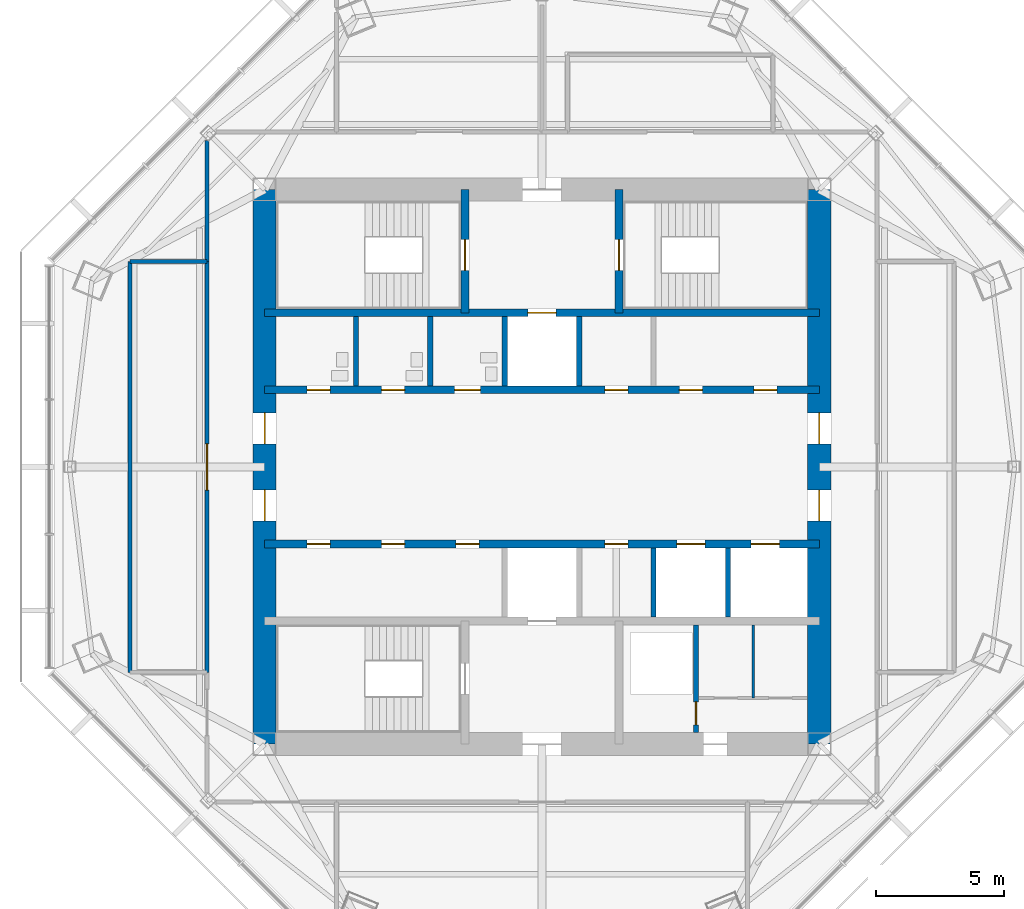
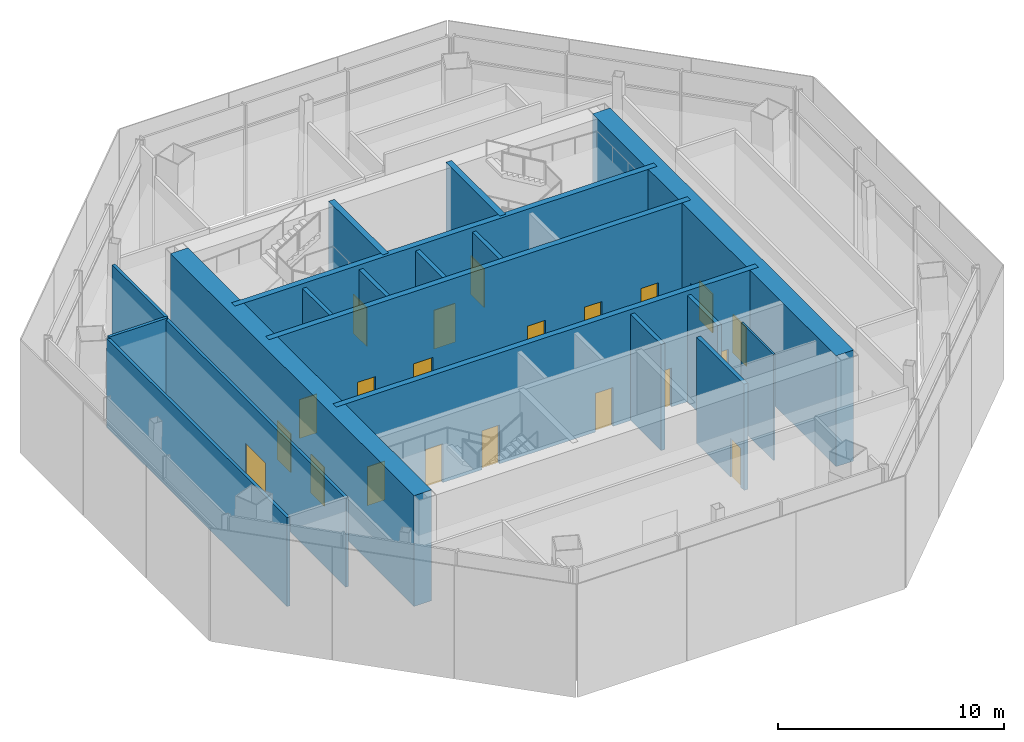
# One storey, part 5 of 11: 21 doors, 19 walls, 21 openings.
"""IFC4 building model written with IfcOpenShell, lengths in metres."""

from ifc_helpers import new_model, si_unit, direction, frame, frame_2d, origin, place, context, subcontext, project, spatial, rectangle, extrude, material, layer, layer_set, type_object, element, fill, save


model = new_model("IFC4")

# Units and contexts
model_context = context("Model", 3, precision=1e-05, world=origin(), true_north=direction((0.0, 1.0)))
body_context = subcontext(model_context, "Body", "Model", "MODEL_VIEW")
ifc_project = project(units=[si_unit("LENGTHUNIT", "METRE"), si_unit("AREAUNIT", "SQUARE_METRE"), si_unit("VOLUMEUNIT", "CUBIC_METRE"), si_unit("PLANEANGLEUNIT", "RADIAN"), si_unit("MASSUNIT", "GRAM", prefix="KILO")], contexts=[model_context])

# Site, building, storey
site_placement = place(None, origin())
site = spatial("IfcSite", under=ifc_project, at=site_placement, CompositionType="ELEMENT")
building_placement = place(site_placement, origin())
building = spatial("IfcBuilding", under=site, at=building_placement, Name="Mashrafa Tower", CompositionType="ELEMENT")
storey_placement = place(building_placement, frame((0.0, 0.0, 311.60009765625)))
storey = spatial("IfcBuildingStorey", under=building, at=storey_placement, Name="L77", CompositionType="ELEMENT", Elevation=311.60009765625)

# Wall, opening, door
ifc_material_1 = material(Name="Concrete masonry unit", Category="masonry")
ifc_layer_1 = layer(ifc_material_1, 0.199951171875)
ifc_layer_set_1 = layer_set([ifc_layer_1], Name="Blockwork wall 200 2 hr")
wall_type_1 = type_object("IfcWallType", Name="Blockwork wall 200 2 hr", PredefinedType="PARTITIONING", material=ifc_layer_set_1)
wall_1_placement = place(storey_placement, frame((6.0, -10.35009765625, 0.0), z_axis=(0.0, 0.0, 1.0), x_axis=(0.0, 1.0, 0.0)))
wall_1 = element("IfcWall", 1, at=wall_1_placement, inside=storey, type_object=wall_type_1, Name="Riser enclosure wall L77", PredefinedType="PARTITIONING", context=body_context, shape_type="SweptSolid", body=[
    extrude(rectangle(XDim=4.2001953125, YDim=0.199951171875, at=frame_2d((2.10009765625, 0.0))), origin(), (0.0, 0.0, 1.0), 5.75),
])
opening_1_placement = place(wall_1_placement, frame((0.300048828125, 0.0, 0.0)))
opening_1 = element("IfcOpeningElement", 2, at=opening_1_placement, cuts=wall_1, Name="Opening 77.020", PredefinedType="OPENING", context=body_context, shape_type="SweptSolid", body=[
    extrude(rectangle(XDim=0.89990234375, YDim=2.10009765625, at=frame_2d((0.449951171875, 1.050048828125))), frame((0.0, 0.10986328125, 0.0), z_axis=(0.0, -1.0, 0.0), x_axis=(1.0, 0.0, 0.0)), (0.0, 0.0, 1.0), 0.219970703125),
])
ifc_material_2 = material(Name="Steel door", Category="steel")
door_type_1 = type_object("IfcDoorType", Name="Service door 900 x 2100 90 min", OperationType="USERDEFINED", PredefinedType="DOOR", material=ifc_material_2)
door_1_placement = place(opening_1_placement, origin())
door_1 = element("IfcDoor", 3, at=door_1_placement, inside=storey, type_object=door_type_1, Name="Riser door L77", OperationType="SINGLE_SWING_LEFT", OverallHeight=2.10009765625, OverallWidth=0.89990234375, PredefinedType="DOOR", context=body_context, shape_type="SweptSolid", body=[
    extrude(rectangle(XDim=0.89990234375, YDim=2.10009765625, at=frame_2d((0.449951171875, 1.050048828125))), frame((0.0, 0.02490234375, 0.0), z_axis=(0.0, -1.0, 0.0), x_axis=(1.0, 0.0, 0.0)), (0.0, 0.0, 1.0), 0.050048828125),
])
fill(opening_1, door_1)

# Wall, openings, doors
ifc_material_3 = material(Name="Concrete C50/60", Category="concrete")
ifc_layer_2 = layer(ifc_material_3, 0.300048828125)
ifc_layer_set_2 = layer_set([ifc_layer_2], Name="Core wall 300 C50/60")
wall_type_2 = type_object("IfcWallType", Name="Core wall 300 C50/60", PredefinedType="SOLIDWALL", material=ifc_layer_set_2)
wall_2_placement = place(storey_placement, frame((-10.800048828125, 3.0, 0.0), z_axis=(0.0, 0.0, 1.0), x_axis=(1.0, 0.0, 0.0)))
wall_2 = element("IfcWall", 4, at=wall_2_placement, inside=storey, type_object=wall_type_2, Name="Core wall CH-N L77", PredefinedType="SOLIDWALL", context=body_context, shape_type="SweptSolid", body=[
    extrude(rectangle(XDim=21.60009765625, YDim=0.300048828125, at=frame_2d((10.800048828125, 0.0))), origin(), (0.0, 0.0, 1.0), 6.0),
])
opening_2_placement = place(wall_2_placement, frame((16.14990234375, 0.0, 0.0)))
opening_2 = element("IfcOpeningElement", 5, at=opening_2_placement, cuts=wall_2, Name="Opening 77.026", PredefinedType="OPENING", context=body_context, shape_type="SweptSolid", body=[
    extrude(rectangle(XDim=0.89990234375, YDim=2.10009765625, at=frame_2d((0.449951171875, 1.050048828125))), frame((0.0, 0.159912109375, 0.0), z_axis=(0.0, -1.0, 0.0), x_axis=(1.0, 0.0, 0.0)), (0.0, 0.0, 1.0), 0.320068359375),
])
opening_3_placement = place(wall_2_placement, frame((19.050048828125, 0.0, 0.0)))
opening_3 = element("IfcOpeningElement", 6, at=opening_3_placement, cuts=wall_2, Name="Opening 77.027", PredefinedType="OPENING", context=body_context, shape_type="SweptSolid", body=[
    extrude(rectangle(XDim=0.89990234375, YDim=2.10009765625, at=frame_2d((0.449951171875, 1.050048828125))), frame((0.0, 0.159912109375, 0.0), z_axis=(0.0, -1.0, 0.0), x_axis=(1.0, 0.0, 0.0)), (0.0, 0.0, 1.0), 0.320068359375),
])
opening_4_placement = place(wall_2_placement, frame((1.64990234375, 0.0, 0.0)))
opening_4 = element("IfcOpeningElement", 7, at=opening_4_placement, cuts=wall_2, Name="Opening 77.028", PredefinedType="OPENING", context=body_context, shape_type="SweptSolid", body=[
    extrude(rectangle(XDim=0.89990234375, YDim=2.10009765625, at=frame_2d((0.449951171875, 1.050048828125))), frame((0.0, 0.159912109375, 0.0), z_axis=(0.0, -1.0, 0.0), x_axis=(1.0, 0.0, 0.0)), (0.0, 0.0, 1.0), 0.320068359375),
])
opening_5_placement = place(wall_2_placement, frame((4.550048828125, 0.0, 0.0)))
opening_5 = element("IfcOpeningElement", 8, at=opening_5_placement, cuts=wall_2, Name="Opening 77.029", PredefinedType="OPENING", context=body_context, shape_type="SweptSolid", body=[
    extrude(rectangle(XDim=0.89990234375, YDim=2.10009765625, at=frame_2d((0.449951171875, 1.050048828125))), frame((0.0, 0.159912109375, 0.0), z_axis=(0.0, -1.0, 0.0), x_axis=(1.0, 0.0, 0.0)), (0.0, 0.0, 1.0), 0.320068359375),
])
opening_6_placement = place(wall_2_placement, frame((7.39990234375, 0.0, 0.0)))
opening_6 = element("IfcOpeningElement", 9, at=opening_6_placement, cuts=wall_2, Name="Opening 77.030", PredefinedType="OPENING", context=body_context, shape_type="SweptSolid", body=[
    extrude(rectangle(XDim=1.0, YDim=2.10009765625, at=frame_2d((0.5, 1.050048828125))), frame((0.0, 0.159912109375, 0.0), z_axis=(0.0, -1.0, 0.0), x_axis=(1.0, 0.0, 0.0)), (0.0, 0.0, 1.0), 0.320068359375),
])
opening_7_placement = place(wall_2_placement, frame((13.25, 0.0, 0.0)))
opening_7 = element("IfcOpeningElement", 10, at=opening_7_placement, cuts=wall_2, Name="Opening 77.031", PredefinedType="OPENING", context=body_context, shape_type="SweptSolid", body=[
    extrude(rectangle(XDim=0.89990234375, YDim=2.10009765625, at=frame_2d((0.449951171875, 1.050048828125))), frame((0.0, 0.159912109375, 0.0), z_axis=(0.0, -1.0, 0.0), x_axis=(1.0, 0.0, 0.0)), (0.0, 0.0, 1.0), 0.320068359375),
])
ifc_material_4 = material(Name="Timber door", Category="wood")
door_type_2 = type_object("IfcDoorType", Name="Accessible toilet door 1000 x 2100", OperationType="USERDEFINED", PredefinedType="DOOR", material=ifc_material_4)
door_2_placement = place(opening_6_placement, origin())
door_2 = element("IfcDoor", 11, at=door_2_placement, inside=storey, type_object=door_type_2, Name="Accessible WC L77 door", OperationType="SINGLE_SWING_LEFT", OverallHeight=2.10009765625, OverallWidth=1.0, PredefinedType="DOOR", context=body_context, shape_type="SweptSolid", body=[
    extrude(rectangle(XDim=1.0, YDim=2.10009765625, at=frame_2d((0.5, 1.050048828125))), frame((0.0, 0.02490234375, 0.0), z_axis=(0.0, -1.0, 0.0), x_axis=(1.0, 0.0, 0.0)), (0.0, 0.0, 1.0), 0.050048828125),
])
fill(opening_6, door_2)
ifc_material_5 = material(Name="Timber door", Category="wood")
door_type_3 = type_object("IfcDoorType", Name="Store door 900 x 2100", OperationType="USERDEFINED", PredefinedType="DOOR", material=ifc_material_5)
door_3_placement = place(opening_2_placement, origin())
door_3 = element("IfcDoor", 12, at=door_3_placement, inside=storey, type_object=door_type_3, Name="Observation Floor Store L77 door", OperationType="SINGLE_SWING_LEFT", OverallHeight=2.10009765625, OverallWidth=0.89990234375, PredefinedType="DOOR", context=body_context, shape_type="SweptSolid", body=[
    extrude(rectangle(XDim=0.89990234375, YDim=2.10009765625, at=frame_2d((0.449951171875, 1.050048828125))), frame((0.0, 0.02490234375, 0.0), z_axis=(0.0, -1.0, 0.0), x_axis=(1.0, 0.0, 0.0)), (0.0, 0.0, 1.0), 0.050048828125),
])
fill(opening_2, door_3)
door_4_placement = place(opening_3_placement, origin())
door_4 = element("IfcDoor", 13, at=door_4_placement, inside=storey, type_object=door_type_3, Name="Observation Floor Store L77 door", OperationType="SINGLE_SWING_RIGHT", OverallHeight=2.10009765625, OverallWidth=0.89990234375, PredefinedType="DOOR", context=body_context, shape_type="SweptSolid", body=[
    extrude(rectangle(XDim=0.89990234375, YDim=2.10009765625, at=frame_2d((0.449951171875, 1.050048828125))), frame((0.0, 0.02490234375, 0.0), z_axis=(0.0, -1.0, 0.0), x_axis=(1.0, 0.0, 0.0)), (0.0, 0.0, 1.0), 0.050048828125),
])
fill(opening_3, door_4)
door_5_placement = place(opening_7_placement, origin())
door_5 = element("IfcDoor", 14, at=door_5_placement, inside=storey, type_object=door_type_3, Name="Cleaner's Store L77 door", OperationType="SINGLE_SWING_LEFT", OverallHeight=2.10009765625, OverallWidth=0.89990234375, PredefinedType="DOOR", context=body_context, shape_type="SweptSolid", body=[
    extrude(rectangle(XDim=0.89990234375, YDim=2.10009765625, at=frame_2d((0.449951171875, 1.050048828125))), frame((0.0, 0.02490234375, 0.0), z_axis=(0.0, -1.0, 0.0), x_axis=(1.0, 0.0, 0.0)), (0.0, 0.0, 1.0), 0.050048828125),
])
fill(opening_7, door_5)
ifc_material_6 = material(Name="Timber door", Category="wood")
door_type_4 = type_object("IfcDoorType", Name="Toilet door 900 x 2100", OperationType="USERDEFINED", PredefinedType="DOOR", material=ifc_material_6)
door_6_placement = place(opening_4_placement, origin())
door_6 = element("IfcDoor", 15, at=door_6_placement, inside=storey, type_object=door_type_4, Name="WC Male L77 door", OperationType="SINGLE_SWING_RIGHT", OverallHeight=2.10009765625, OverallWidth=0.89990234375, PredefinedType="DOOR", context=body_context, shape_type="SweptSolid", body=[
    extrude(rectangle(XDim=0.89990234375, YDim=2.10009765625, at=frame_2d((0.449951171875, 1.050048828125))), frame((0.0, 0.02490234375, 0.0), z_axis=(0.0, -1.0, 0.0), x_axis=(1.0, 0.0, 0.0)), (0.0, 0.0, 1.0), 0.050048828125),
])
fill(opening_4, door_6)
door_7_placement = place(opening_5_placement, origin())
door_7 = element("IfcDoor", 16, at=door_7_placement, inside=storey, type_object=door_type_4, Name="WC Female L77 door", OperationType="SINGLE_SWING_LEFT", OverallHeight=2.10009765625, OverallWidth=0.89990234375, PredefinedType="DOOR", context=body_context, shape_type="SweptSolid", body=[
    extrude(rectangle(XDim=0.89990234375, YDim=2.10009765625, at=frame_2d((0.449951171875, 1.050048828125))), frame((0.0, 0.02490234375, 0.0), z_axis=(0.0, -1.0, 0.0), x_axis=(1.0, 0.0, 0.0)), (0.0, 0.0, 1.0), 0.050048828125),
])
fill(opening_5, door_7)

# Wall, opening, door
wall_3_placement = place(storey_placement, frame((-10.800048828125, 6.0, 0.0), z_axis=(0.0, 0.0, 1.0), x_axis=(1.0, 0.0, 0.0)))
wall_3 = element("IfcWall", 17, at=wall_3_placement, inside=storey, type_object=wall_type_2, Name="Core wall CB-N L77", PredefinedType="SOLIDWALL", context=body_context, shape_type="SweptSolid", body=[
    extrude(rectangle(XDim=21.60009765625, YDim=0.300048828125, at=frame_2d((10.800048828125, 0.0))), origin(), (0.0, 0.0, 1.0), 6.0),
])
opening_8_placement = place(wall_3_placement, frame((10.25, 0.0, 0.0)))
opening_8 = element("IfcOpeningElement", 18, at=opening_8_placement, cuts=wall_3, Name="Opening 77.F1", PredefinedType="OPENING", context=body_context, shape_type="SweptSolid", body=[
    extrude(rectangle(XDim=1.10009765625, YDim=2.10009765625, at=frame_2d((0.550048828125, 1.050048828125))), frame((0.0, 0.159912109375, 0.0), z_axis=(0.0, -1.0, 0.0), x_axis=(1.0, 0.0, 0.0)), (0.0, 0.0, 1.0), 0.320068359375),
])
ifc_material_7 = material(Name="Steel door", Category="steel")
door_type_5 = type_object("IfcDoorType", Name="Lift landing door 1100 x 2100 90 min", OperationType="DOUBLE_DOOR_SLIDING", PredefinedType="DOOR", material=ifc_material_7)
door_8_placement = place(opening_8_placement, origin())
door_8 = element("IfcDoor", 19, at=door_8_placement, inside=storey, type_object=door_type_5, Name="Lift landing door F1 L77", OperationType="DOUBLE_DOOR_SLIDING", OverallHeight=2.10009765625, OverallWidth=1.10009765625, PredefinedType="DOOR", context=body_context, shape_type="SweptSolid", body=[
    extrude(rectangle(XDim=1.10009765625, YDim=2.10009765625, at=frame_2d((0.550048828125, 1.050048828125))), frame((0.0, 0.02490234375, 0.0), z_axis=(0.0, -1.0, 0.0), x_axis=(1.0, 0.0, 0.0)), (0.0, 0.0, 1.0), 0.050048828125),
])
fill(opening_8, door_8)

wall_4_placement = place(storey_placement, frame((-3.0, 6.0, 0.0), z_axis=(0.0, 0.0, 1.0), x_axis=(0.0, 1.0, 0.0)))
wall_4 = element("IfcWall", 20, at=wall_4_placement, inside=storey, type_object=wall_type_2, Name="Core wall CX-NW L77", PredefinedType="SOLIDWALL", context=body_context, shape_type="SweptSolid", body=[
    extrude(rectangle(XDim=4.800048828125, YDim=0.300048828125, at=frame_2d((2.39990234375, 0.0))), origin(), (0.0, 0.0, 1.0), 6.0),
])
opening_9_placement = place(wall_4_placement, frame((1.64990234375, 0.0, 0.0)))
opening_9 = element("IfcOpeningElement", 21, at=opening_9_placement, cuts=wall_4, Name="Opening 77.016", PredefinedType="OPENING", context=body_context, shape_type="SweptSolid", body=[
    extrude(rectangle(XDim=1.199951171875, YDim=2.10009765625, at=frame_2d((0.60009765625, 1.050048828125))), frame((0.0, 0.159912109375, 0.0), z_axis=(0.0, -1.0, 0.0), x_axis=(1.0, 0.0, 0.0)), (0.0, 0.0, 1.0), 0.320068359375),
])
ifc_material_8 = material(Name="Steel door", Category="steel")
door_type_6 = type_object("IfcDoorType", Name="Stair door 1200 x 2100 90 min", OperationType="USERDEFINED", PredefinedType="DOOR", material=ifc_material_8)
door_9_placement = place(opening_9_placement, origin())
door_9 = element("IfcDoor", 22, at=door_9_placement, inside=storey, type_object=door_type_6, Name="Stair S1 door L77", OperationType="SINGLE_SWING_LEFT", OverallHeight=2.10009765625, OverallWidth=1.199951171875, PredefinedType="DOOR", context=body_context, shape_type="SweptSolid", body=[
    extrude(rectangle(XDim=1.199951171875, YDim=2.10009765625, at=frame_2d((0.60009765625, 1.050048828125))), frame((0.0, 0.02490234375, 0.0), z_axis=(0.0, -1.0, 0.0), x_axis=(1.0, 0.0, 0.0)), (0.0, 0.0, 1.0), 0.050048828125),
])
fill(opening_9, door_9)

wall_5_placement = place(storey_placement, frame((3.0, 6.0, 0.0), z_axis=(0.0, 0.0, 1.0), x_axis=(0.0, 1.0, 0.0)))
wall_5 = element("IfcWall", 23, at=wall_5_placement, inside=storey, type_object=wall_type_2, Name="Core wall CX-NE L77", PredefinedType="SOLIDWALL", context=body_context, shape_type="SweptSolid", body=[
    extrude(rectangle(XDim=4.800048828125, YDim=0.300048828125, at=frame_2d((2.39990234375, 0.0))), origin(), (0.0, 0.0, 1.0), 6.0),
])
opening_10_placement = place(wall_5_placement, frame((1.64990234375, 0.0, 0.0)))
opening_10 = element("IfcOpeningElement", 24, at=opening_10_placement, cuts=wall_5, Name="Opening 77.017", PredefinedType="OPENING", context=body_context, shape_type="SweptSolid", body=[
    extrude(rectangle(XDim=1.199951171875, YDim=2.10009765625, at=frame_2d((0.60009765625, 1.050048828125))), frame((0.0, 0.159912109375, 0.0), z_axis=(0.0, -1.0, 0.0), x_axis=(1.0, 0.0, 0.0)), (0.0, 0.0, 1.0), 0.320068359375),
])
door_10_placement = place(opening_10_placement, frame((1.199951171875, 0.0, 0.0), z_axis=(0.0, 0.0, 1.0), x_axis=(-1.0, 0.0, 0.0)))
door_10 = element("IfcDoor", 25, at=door_10_placement, inside=storey, type_object=door_type_6, Name="Stair S2 door L77", OperationType="SINGLE_SWING_RIGHT", OverallHeight=2.10009765625, OverallWidth=1.199951171875, PredefinedType="DOOR", context=body_context, shape_type="SweptSolid", body=[
    extrude(rectangle(XDim=1.199951171875, YDim=2.10009765625, at=frame_2d((0.60009765625, 1.050048828125))), frame((0.0, 0.02490234375, 0.0), z_axis=(0.0, -1.0, 0.0), x_axis=(1.0, 0.0, 0.0)), (0.0, 0.0, 1.0), 0.050048828125),
])
fill(opening_10, door_10)

# Wall, openings, doors
wall_6_placement = place(storey_placement, frame((-10.800048828125, -3.0, 0.0), z_axis=(0.0, 0.0, 1.0), x_axis=(1.0, 0.0, 0.0)))
wall_6 = element("IfcWall", 26, at=wall_6_placement, inside=storey, type_object=wall_type_2, Name="Core wall CH-S L77", PredefinedType="SOLIDWALL", context=body_context, shape_type="SweptSolid", body=[
    extrude(rectangle(XDim=21.60009765625, YDim=0.300048828125, at=frame_2d((10.800048828125, 0.0))), origin(), (0.0, 0.0, 1.0), 6.0),
])
opening_11_placement = place(wall_6_placement, frame((1.64990234375, 0.0, 0.0)))
opening_11 = element("IfcOpeningElement", 27, at=opening_11_placement, cuts=wall_6, Name="Opening 77.023", PredefinedType="OPENING", context=body_context, shape_type="SweptSolid", body=[
    extrude(rectangle(XDim=0.89990234375, YDim=2.10009765625, at=frame_2d((0.449951171875, 1.050048828125))), frame((0.0, 0.159912109375, 0.0), z_axis=(0.0, -1.0, 0.0), x_axis=(1.0, 0.0, 0.0)), (0.0, 0.0, 1.0), 0.320068359375),
])
opening_12_placement = place(wall_6_placement, frame((4.550048828125, 0.0, 0.0)))
opening_12 = element("IfcOpeningElement", 28, at=opening_12_placement, cuts=wall_6, Name="Opening 77.024", PredefinedType="OPENING", context=body_context, shape_type="SweptSolid", body=[
    extrude(rectangle(XDim=0.89990234375, YDim=2.10009765625, at=frame_2d((0.449951171875, 1.050048828125))), frame((0.0, 0.159912109375, 0.0), z_axis=(0.0, -1.0, 0.0), x_axis=(1.0, 0.0, 0.0)), (0.0, 0.0, 1.0), 0.320068359375),
])
opening_13_placement = place(wall_6_placement, frame((7.449951171875, 0.0, 0.0)))
opening_13 = element("IfcOpeningElement", 29, at=opening_13_placement, cuts=wall_6, Name="Opening 77.025", PredefinedType="OPENING", context=body_context, shape_type="SweptSolid", body=[
    extrude(rectangle(XDim=0.89990234375, YDim=2.10009765625, at=frame_2d((0.449951171875, 1.050048828125))), frame((0.0, 0.159912109375, 0.0), z_axis=(0.0, -1.0, 0.0), x_axis=(1.0, 0.0, 0.0)), (0.0, 0.0, 1.0), 0.320068359375),
])
opening_14_placement = place(wall_6_placement, frame((13.25, 0.0, 0.0)))
opening_14 = element("IfcOpeningElement", 30, at=opening_14_placement, cuts=wall_6, Name="Opening 77.032", PredefinedType="OPENING", context=body_context, shape_type="SweptSolid", body=[
    extrude(rectangle(XDim=0.89990234375, YDim=2.10009765625, at=frame_2d((0.449951171875, 1.050048828125))), frame((0.0, 0.159912109375, 0.0), z_axis=(0.0, -1.0, 0.0), x_axis=(1.0, 0.0, 0.0)), (0.0, 0.0, 1.0), 0.320068359375),
])
opening_15_placement = place(wall_6_placement, frame((16.050048828125, 0.0, 0.0)))
opening_15 = element("IfcOpeningElement", 31, at=opening_15_placement, cuts=wall_6, Name="Opening 77.R1", PredefinedType="OPENING", context=body_context, shape_type="SweptSolid", body=[
    extrude(rectangle(XDim=1.10009765625, YDim=2.10009765625, at=frame_2d((0.550048828125, 1.050048828125))), frame((0.0, 0.159912109375, 0.0), z_axis=(0.0, -1.0, 0.0), x_axis=(1.0, 0.0, 0.0)), (0.0, 0.0, 1.0), 0.320068359375),
])
opening_16_placement = place(wall_6_placement, frame((18.949951171875, 0.0, 0.0)))
opening_16 = element("IfcOpeningElement", 32, at=opening_16_placement, cuts=wall_6, Name="Opening 77.R2", PredefinedType="OPENING", context=body_context, shape_type="SweptSolid", body=[
    extrude(rectangle(XDim=1.10009765625, YDim=2.10009765625, at=frame_2d((0.550048828125, 1.050048828125))), frame((0.0, 0.159912109375, 0.0), z_axis=(0.0, -1.0, 0.0), x_axis=(1.0, 0.0, 0.0)), (0.0, 0.0, 1.0), 0.320068359375),
])
door_11_placement = place(opening_15_placement, origin())
door_11 = element("IfcDoor", 33, at=door_11_placement, inside=storey, type_object=door_type_5, Name="Lift landing door R1 L77", OperationType="DOUBLE_DOOR_SLIDING", OverallHeight=2.10009765625, OverallWidth=1.10009765625, PredefinedType="DOOR", context=body_context, shape_type="SweptSolid", body=[
    extrude(rectangle(XDim=1.10009765625, YDim=2.10009765625, at=frame_2d((0.550048828125, 1.050048828125))), frame((0.0, 0.02490234375, 0.0), z_axis=(0.0, -1.0, 0.0), x_axis=(1.0, 0.0, 0.0)), (0.0, 0.0, 1.0), 0.050048828125),
])
fill(opening_15, door_11)
door_12_placement = place(opening_16_placement, origin())
door_12 = element("IfcDoor", 34, at=door_12_placement, inside=storey, type_object=door_type_5, Name="Lift landing door R2 L77", OperationType="DOUBLE_DOOR_SLIDING", OverallHeight=2.10009765625, OverallWidth=1.10009765625, PredefinedType="DOOR", context=body_context, shape_type="SweptSolid", body=[
    extrude(rectangle(XDim=1.10009765625, YDim=2.10009765625, at=frame_2d((0.550048828125, 1.050048828125))), frame((0.0, 0.02490234375, 0.0), z_axis=(0.0, -1.0, 0.0), x_axis=(1.0, 0.0, 0.0)), (0.0, 0.0, 1.0), 0.050048828125),
])
fill(opening_16, door_12)
door_13_placement = place(opening_11_placement, frame((0.89990234375, 0.0, 0.0), z_axis=(0.0, 0.0, 1.0), x_axis=(-1.0, 0.0, 0.0)))
door_13 = element("IfcDoor", 35, at=door_13_placement, inside=storey, type_object=door_type_3, Name="Cafe Pantry L77 door", OperationType="SINGLE_SWING_RIGHT", OverallHeight=2.10009765625, OverallWidth=0.89990234375, PredefinedType="DOOR", context=body_context, shape_type="SweptSolid", body=[
    extrude(rectangle(XDim=0.89990234375, YDim=2.10009765625, at=frame_2d((0.449951171875, 1.050048828125))), frame((0.0, 0.02490234375, 0.0), z_axis=(0.0, -1.0, 0.0), x_axis=(1.0, 0.0, 0.0)), (0.0, 0.0, 1.0), 0.050048828125),
])
fill(opening_11, door_13)
door_14_placement = place(opening_12_placement, frame((0.89990234375, 0.0, 0.0), z_axis=(0.0, 0.0, 1.0), x_axis=(-1.0, 0.0, 0.0)))
door_14 = element("IfcDoor", 36, at=door_14_placement, inside=storey, type_object=door_type_3, Name="Cafe Pantry L77 door", OperationType="SINGLE_SWING_LEFT", OverallHeight=2.10009765625, OverallWidth=0.89990234375, PredefinedType="DOOR", context=body_context, shape_type="SweptSolid", body=[
    extrude(rectangle(XDim=0.89990234375, YDim=2.10009765625, at=frame_2d((0.449951171875, 1.050048828125))), frame((0.0, 0.02490234375, 0.0), z_axis=(0.0, -1.0, 0.0), x_axis=(1.0, 0.0, 0.0)), (0.0, 0.0, 1.0), 0.050048828125),
])
fill(opening_12, door_14)
door_15_placement = place(opening_13_placement, frame((0.89990234375, 0.0, 0.0), z_axis=(0.0, 0.0, 1.0), x_axis=(-1.0, 0.0, 0.0)))
door_15 = element("IfcDoor", 37, at=door_15_placement, inside=storey, type_object=door_type_3, Name="Cafe Pantry L77 door", OperationType="SINGLE_SWING_LEFT", OverallHeight=2.10009765625, OverallWidth=0.89990234375, PredefinedType="DOOR", context=body_context, shape_type="SweptSolid", body=[
    extrude(rectangle(XDim=0.89990234375, YDim=2.10009765625, at=frame_2d((0.449951171875, 1.050048828125))), frame((0.0, 0.02490234375, 0.0), z_axis=(0.0, -1.0, 0.0), x_axis=(1.0, 0.0, 0.0)), (0.0, 0.0, 1.0), 0.050048828125),
])
fill(opening_13, door_15)
door_16_placement = place(opening_14_placement, frame((0.89990234375, 0.0, 0.0), z_axis=(0.0, 0.0, 1.0), x_axis=(-1.0, 0.0, 0.0)))
door_16 = element("IfcDoor", 38, at=door_16_placement, inside=storey, type_object=door_type_3, Name="Services Store L77-B4 door", OperationType="SINGLE_SWING_RIGHT", OverallHeight=2.10009765625, OverallWidth=0.89990234375, PredefinedType="DOOR", context=body_context, shape_type="SweptSolid", body=[
    extrude(rectangle(XDim=0.89990234375, YDim=2.10009765625, at=frame_2d((0.449951171875, 1.050048828125))), frame((0.0, 0.02490234375, 0.0), z_axis=(0.0, -1.0, 0.0), x_axis=(1.0, 0.0, 0.0)), (0.0, 0.0, 1.0), 0.050048828125),
])
fill(opening_14, door_16)

ifc_material_9 = material(Name="Concrete C50/60", Category="concrete")
ifc_layer_3 = layer(ifc_material_9, 0.89990234375)
ifc_layer_set_3 = layer_set([ifc_layer_3], Name="Core wall 900 C50/60")
wall_type_3 = type_object("IfcWallType", Name="Core wall 900 C50/60", PredefinedType="SOLIDWALL", material=ifc_layer_set_3)
wall_7_placement = place(storey_placement, frame((10.800048828125, -10.800048828125, 0.0), z_axis=(0.0, 0.0, 1.0), x_axis=(0.0, 1.0, 0.0)))
wall_7 = element("IfcWall", 39, at=wall_7_placement, inside=storey, type_object=wall_type_3, Name="Core wall CW-E L77", PredefinedType="SOLIDWALL", context=body_context, shape_type="SweptSolid", body=[
    extrude(rectangle(XDim=21.60009765625, YDim=0.89990234375, at=frame_2d((10.800048828125, 0.0))), origin(), (0.0, 0.0, 1.0), 6.0),
])
opening_17_placement = place(wall_7_placement, frame((11.699951171875, 0.0, 0.0)))
opening_17 = element("IfcOpeningElement", 40, at=opening_17_placement, cuts=wall_7, Name="Opening 77.010", PredefinedType="OPENING", context=body_context, shape_type="SweptSolid", body=[
    extrude(rectangle(XDim=1.199951171875, YDim=2.10009765625, at=frame_2d((0.60009765625, 1.050048828125))), frame((0.0, 0.4599609375, 0.0), z_axis=(0.0, -1.0, 0.0), x_axis=(1.0, 0.0, 0.0)), (0.0, 0.0, 1.0), 0.919921875),
])
opening_18_placement = place(wall_7_placement, frame((8.699951171875, 0.0, 0.0)))
opening_18 = element("IfcOpeningElement", 41, at=opening_18_placement, cuts=wall_7, Name="Opening 77.012", PredefinedType="OPENING", context=body_context, shape_type="SweptSolid", body=[
    extrude(rectangle(XDim=1.199951171875, YDim=2.10009765625, at=frame_2d((0.60009765625, 1.050048828125))), frame((0.0, 0.4599609375, 0.0), z_axis=(0.0, -1.0, 0.0), x_axis=(1.0, 0.0, 0.0)), (0.0, 0.0, 1.0), 0.919921875),
])
ifc_material_10 = material(Name="Steel door", Category="steel")
door_type_7 = type_object("IfcDoorType", Name="Lift hall door 1200 x 2100 90 min", OperationType="USERDEFINED", PredefinedType="DOOR", material=ifc_material_10)
door_17_placement = place(opening_17_placement, frame((1.199951171875, 0.0, 0.0), z_axis=(0.0, 0.0, 1.0), x_axis=(-1.0, 0.0, 0.0)))
door_17 = element("IfcDoor", 42, at=door_17_placement, inside=storey, type_object=door_type_7, Name="Lift hall door east L77", OperationType="SINGLE_SWING_LEFT", OverallHeight=2.10009765625, OverallWidth=1.199951171875, PredefinedType="DOOR", context=body_context, shape_type="SweptSolid", body=[
    extrude(rectangle(XDim=1.199951171875, YDim=2.10009765625, at=frame_2d((0.60009765625, 1.050048828125))), frame((0.0, 0.02490234375, 0.0), z_axis=(0.0, -1.0, 0.0), x_axis=(1.0, 0.0, 0.0)), (0.0, 0.0, 1.0), 0.050048828125),
])
fill(opening_17, door_17)
door_18_placement = place(opening_18_placement, frame((1.199951171875, 0.0, 0.0), z_axis=(0.0, 0.0, 1.0), x_axis=(-1.0, 0.0, 0.0)))
door_18 = element("IfcDoor", 43, at=door_18_placement, inside=storey, type_object=door_type_7, Name="Lift hall door east L77", OperationType="SINGLE_SWING_RIGHT", OverallHeight=2.10009765625, OverallWidth=1.199951171875, PredefinedType="DOOR", context=body_context, shape_type="SweptSolid", body=[
    extrude(rectangle(XDim=1.199951171875, YDim=2.10009765625, at=frame_2d((0.60009765625, 1.050048828125))), frame((0.0, 0.02490234375, 0.0), z_axis=(0.0, -1.0, 0.0), x_axis=(1.0, 0.0, 0.0)), (0.0, 0.0, 1.0), 0.050048828125),
])
fill(opening_18, door_18)

wall_8_placement = place(storey_placement, frame((-10.800048828125, 10.800048828125, 0.0), z_axis=(0.0, 0.0, 1.0), x_axis=(0.0, -1.0, 0.0)))
wall_8 = element("IfcWall", 44, at=wall_8_placement, inside=storey, type_object=wall_type_3, Name="Core wall CW-W L77", PredefinedType="SOLIDWALL", context=body_context, shape_type="SweptSolid", body=[
    extrude(rectangle(XDim=21.60009765625, YDim=0.89990234375, at=frame_2d((10.800048828125, 0.0))), origin(), (0.0, 0.0, 1.0), 6.0),
])
opening_19_placement = place(wall_8_placement, frame((8.699951171875, 0.0, 0.0)))
opening_19 = element("IfcOpeningElement", 45, at=opening_19_placement, cuts=wall_8, Name="Opening 77.011", PredefinedType="OPENING", context=body_context, shape_type="SweptSolid", body=[
    extrude(rectangle(XDim=1.199951171875, YDim=2.10009765625, at=frame_2d((0.60009765625, 1.050048828125))), frame((0.0, 0.4599609375, 0.0), z_axis=(0.0, -1.0, 0.0), x_axis=(1.0, 0.0, 0.0)), (0.0, 0.0, 1.0), 0.919921875),
])
opening_20_placement = place(wall_8_placement, frame((11.699951171875, 0.0, 0.0)))
opening_20 = element("IfcOpeningElement", 46, at=opening_20_placement, cuts=wall_8, Name="Opening 77.013", PredefinedType="OPENING", context=body_context, shape_type="SweptSolid", body=[
    extrude(rectangle(XDim=1.199951171875, YDim=2.10009765625, at=frame_2d((0.60009765625, 1.050048828125))), frame((0.0, 0.4599609375, 0.0), z_axis=(0.0, -1.0, 0.0), x_axis=(1.0, 0.0, 0.0)), (0.0, 0.0, 1.0), 0.919921875),
])
door_19_placement = place(opening_19_placement, frame((1.199951171875, 0.0, 0.0), z_axis=(0.0, 0.0, 1.0), x_axis=(-1.0, 0.0, 0.0)))
door_19 = element("IfcDoor", 47, at=door_19_placement, inside=storey, type_object=door_type_7, Name="Lift hall door west L77", OperationType="SINGLE_SWING_RIGHT", OverallHeight=2.10009765625, OverallWidth=1.199951171875, PredefinedType="DOOR", context=body_context, shape_type="SweptSolid", body=[
    extrude(rectangle(XDim=1.199951171875, YDim=2.10009765625, at=frame_2d((0.60009765625, 1.050048828125))), frame((0.0, 0.02490234375, 0.0), z_axis=(0.0, -1.0, 0.0), x_axis=(1.0, 0.0, 0.0)), (0.0, 0.0, 1.0), 0.050048828125),
])
fill(opening_19, door_19)
door_20_placement = place(opening_20_placement, frame((1.199951171875, 0.0, 0.0), z_axis=(0.0, 0.0, 1.0), x_axis=(-1.0, 0.0, 0.0)))
door_20 = element("IfcDoor", 48, at=door_20_placement, inside=storey, type_object=door_type_7, Name="Lift hall door west L77", OperationType="SINGLE_SWING_LEFT", OverallHeight=2.10009765625, OverallWidth=1.199951171875, PredefinedType="DOOR", context=body_context, shape_type="SweptSolid", body=[
    extrude(rectangle(XDim=1.199951171875, YDim=2.10009765625, at=frame_2d((0.60009765625, 1.050048828125))), frame((0.0, 0.02490234375, 0.0), z_axis=(0.0, -1.0, 0.0), x_axis=(1.0, 0.0, 0.0)), (0.0, 0.0, 1.0), 0.050048828125),
])
fill(opening_20, door_20)

# Wall, opening, door
ifc_material_11 = material(Name="Gypsum board on steel studs", Category="steel")
ifc_layer_4 = layer(ifc_material_11, 0.14990234375)
ifc_layer_set_4 = layer_set([ifc_layer_4], Name="Corridor partition 150 1 hr")
wall_type_4 = type_object("IfcWallType", Name="Corridor partition 150 1 hr", PredefinedType="PARTITIONING", material=ifc_layer_set_4)
wall_9_placement = place(storey_placement, frame((-13.050048828125, 8.0009765625, 0.0), z_axis=(0.0, 0.0, 1.0), x_axis=(0.0, -1.0, 0.0)))
wall_9 = element("IfcWall", 49, at=wall_9_placement, inside=storey, type_object=wall_type_4, Name="Corridor wall L77-004", PredefinedType="PARTITIONING", context=body_context, shape_type="SweptSolid", body=[
    extrude(rectangle(XDim=16.001953125, YDim=0.14990234375, at=frame_2d((8.0009765625, 0.0))), origin(), (0.0, 0.0, 1.0), 4.812744140625),
])
opening_21_placement = place(wall_9_placement, frame((7.10107421875, 0.0, 0.0)))
opening_21 = element("IfcOpeningElement", 50, at=opening_21_placement, cuts=wall_9, Name="Opening 77.004", PredefinedType="OPENING", context=body_context, shape_type="SweptSolid", body=[
    extrude(rectangle(XDim=1.800048828125, YDim=2.39990234375, at=frame_2d((0.89990234375, 1.199951171875))), frame((0.0, 0.0849609375, 0.0), z_axis=(0.0, -1.0, 0.0), x_axis=(1.0, 0.0, 0.0)), (0.0, 0.0, 1.0), 0.169921875),
])
ifc_material_12 = material(Name="Timber door", Category="wood")
door_type_8 = type_object("IfcDoorType", Name="Door pair 1800 x 2400", OperationType="DOUBLE_DOOR_SINGLE_SWING", PredefinedType="DOOR", material=ifc_material_12)
door_21_placement = place(opening_21_placement, frame((1.800048828125, 0.0, 0.0), z_axis=(0.0, 0.0, 1.0), x_axis=(-1.0, 0.0, 0.0)))
door_21 = element("IfcDoor", 51, at=door_21_placement, inside=storey, type_object=door_type_8, Name="VIP Lounge L77 door", OperationType="DOUBLE_DOOR_SINGLE_SWING", OverallHeight=2.39990234375, OverallWidth=1.800048828125, PredefinedType="DOOR", context=body_context, shape_type="SweptSolid", body=[
    extrude(rectangle(XDim=1.800048828125, YDim=2.39990234375, at=frame_2d((0.89990234375, 1.199951171875))), frame((0.0, 0.02490234375, 0.0), z_axis=(0.0, -1.0, 0.0), x_axis=(1.0, 0.0, 0.0)), (0.0, 0.0, 1.0), 0.050048828125),
])
fill(opening_21, door_21)

# Walls
wall_10_placement = place(storey_placement, frame((-13.050048828125, 12.704833984375, 0.0), z_axis=(0.0, 0.0, 1.0), x_axis=(0.0, -1.0, 0.0)))
element("IfcWall", 52, at=wall_10_placement, inside=storey, type_object=wall_type_4, Name="Corridor wall L77-014", PredefinedType="PARTITIONING", context=body_context, shape_type="SweptSolid", body=[
    extrude(rectangle(XDim=4.705810546875, YDim=0.14990234375, at=frame_2d((2.35302734375, 0.0))), origin(), (0.0, 0.0, 1.0), 4.89404296875),
])
ifc_material_13 = material(Name="Gypsum board on steel studs", Category="steel")
ifc_layer_5 = layer(ifc_material_13, 0.10009765625)
ifc_layer_set_5 = layer_set([ifc_layer_5], Name="Partition 100 1 hr")
wall_type_5 = type_object("IfcWallType", Name="Partition 100 1 hr", PredefinedType="PARTITIONING", material=ifc_layer_set_5)
wall_11_placement = place(storey_placement, frame((8.22509765625, -9.0, 0.0), z_axis=(0.0, 0.0, 1.0), x_axis=(0.0, 1.0, 0.0)))
element("IfcWall", 53, at=wall_11_placement, inside=storey, type_object=wall_type_5, Name="Services lobby partition B L77", PredefinedType="PARTITIONING", context=body_context, shape_type="SweptSolid", body=[
    extrude(rectangle(XDim=2.85009765625, YDim=0.10009765625, at=frame_2d((1.425048828125, 0.0))), origin(), (0.0, 0.0, 1.0), 5.75),
])
ifc_material_14 = material(Name="Gypsum board on steel studs", Category="steel")
ifc_layer_6 = layer(ifc_material_14, 0.14990234375)
ifc_layer_set_6 = layer_set([ifc_layer_6], Name="Partition 150")
wall_type_6 = type_object("IfcWallType", Name="Partition 150", PredefinedType="PARTITIONING", material=ifc_layer_set_6)
wall_12_placement = place(storey_placement, frame((-13.050048828125, 8.0, 0.0), z_axis=(0.0, 0.0, 1.0), x_axis=(-1.0, 0.0, 0.0)))
element("IfcWall", 54, at=wall_12_placement, inside=storey, type_object=wall_type_6, Name="Partition wall L77-025", PredefinedType="PARTITIONING", context=body_context, shape_type="SweptSolid", body=[
    extrude(rectangle(XDim=3.0, YDim=0.14990234375, at=frame_2d((1.5, 0.0))), origin(), (0.0, 0.0, 1.0), 4.89404296875),
])
wall_13_placement = place(storey_placement, frame((-16.050048828125, 8.0, 0.0), z_axis=(0.0, 0.0, 1.0), x_axis=(0.0, -1.0, 0.0)))
element("IfcWall", 55, at=wall_13_placement, inside=storey, type_object=wall_type_6, Name="Partition wall L77-026", PredefinedType="PARTITIONING", context=body_context, shape_type="SweptSolid", body=[
    extrude(rectangle(XDim=16.0, YDim=0.14990234375, at=frame_2d((8.0, 0.0))), origin(), (0.0, 0.0, 1.0), 4.812744140625),
])
ifc_material_15 = material(Name="Gypsum shaft wall on steel studs", Category="steel")
ifc_layer_7 = layer(ifc_material_15, 0.199951171875)
ifc_layer_set_7 = layer_set([ifc_layer_7], Name="Shaft divider wall 200 2 hr")
wall_type_7 = type_object("IfcWallType", Name="Shaft divider wall 200 2 hr", PredefinedType="PARTITIONING", material=ifc_layer_set_7)
for number, where, z_axis, x_axis, name in (
    (56, (-7.25, 3.14990234375, 0.0), (0.0, 0.0, 1.0), (0.0, 1.0, 0.0), "Shaft divider wall N1 L77"),
    (57, (-4.35009765625, 3.14990234375, 0.0), (0.0, 0.0, 1.0), (0.0, 1.0, 0.0), "Shaft divider wall N2 L77"),
    (58, (-1.449951171875, 3.14990234375, 0.0), (0.0, 0.0, 1.0), (0.0, 1.0, 0.0), "Shaft divider wall N3 L77"),
    (59, (1.449951171875, 3.14990234375, 0.0), (0.0, 0.0, 1.0), (0.0, 1.0, 0.0), "Shaft divider wall N4 L77"),
    (60, (4.35009765625, -5.85009765625, 0.0), (0.0, 0.0, 1.0), (0.0, 1.0, 0.0), "Shaft divider wall S5 L77"),
    (61, (7.25, -5.85009765625, 0.0), (0.0, 0.0, 1.0), (0.0, 1.0, 0.0), "Shaft divider wall S6 L77"),
):
    element("IfcWall", number, at=place(storey_placement, frame(where, z_axis=z_axis, x_axis=x_axis)), inside=storey, type_object=wall_type_7, Name=name, PredefinedType="PARTITIONING", context=body_context, shape_type="SweptSolid", body=[
        extrude(rectangle(XDim=2.7001953125, YDim=0.199951171875, at=frame_2d((1.35009765625, 0.0))), origin(), (0.0, 0.0, 1.0), 5.75),
    ])

save(model, "model.ifc")
